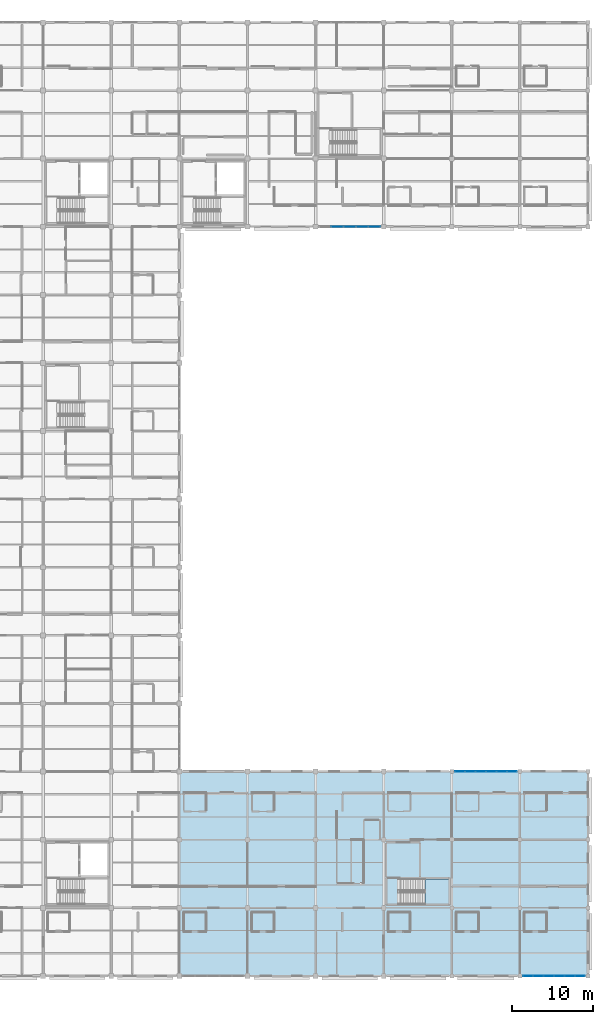
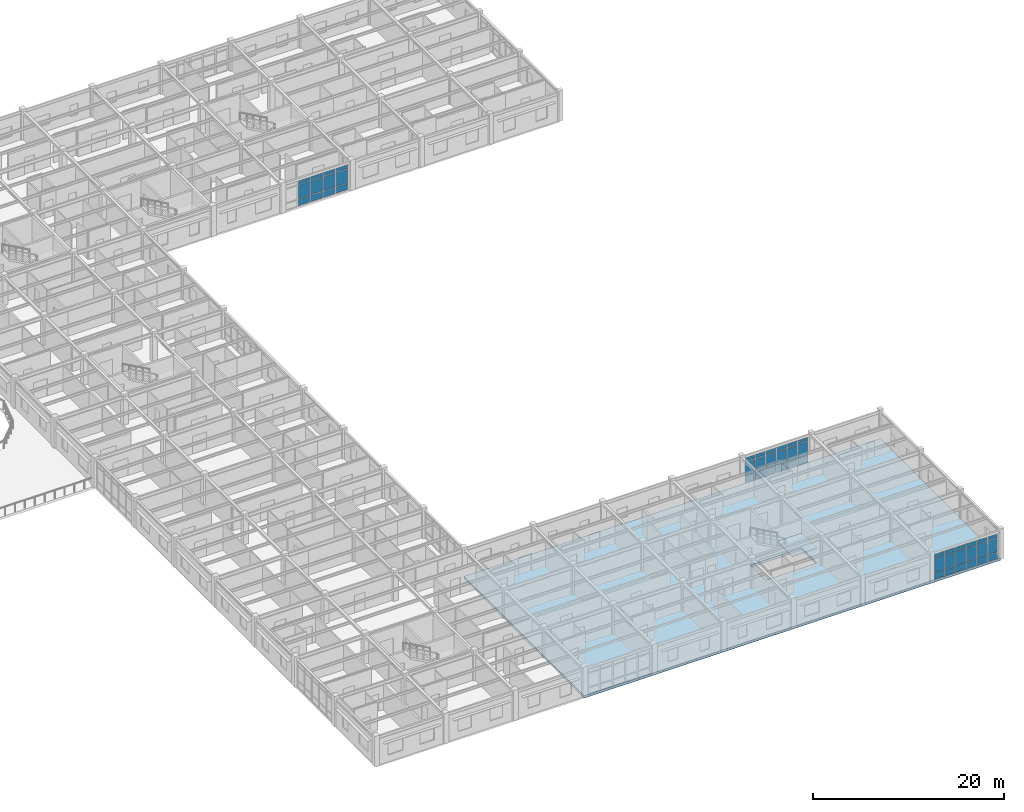
# One storey, part 48 of 86: 48 plates, 2 slabs, 4 elements without a shape of their own.
"""IFC4 building model written with IfcOpenShell, lengths in metres."""

from ifc_helpers import new_model, si_unit, direction, frame, origin, origin_2d, place, context, subcontext, project, spatial, polyline, rectangle, outline, extrude, material, layer, layer_set, type_object, element, aggregate, save


model = new_model("IFC4")

# Units and contexts
model_context = context("Model", 3, precision=1e-05, world=origin(), true_north=direction((0.0, 1.0)))
body_context = subcontext(model_context, "Body", "Model", "MODEL_VIEW")
ifc_project = project(units=[si_unit("LENGTHUNIT", "METRE"), si_unit("AREAUNIT", "SQUARE_METRE"), si_unit("VOLUMEUNIT", "CUBIC_METRE"), si_unit("PLANEANGLEUNIT", "RADIAN"), si_unit("MASSUNIT", "GRAM", prefix="KILO")], contexts=[model_context])

# Site, building, storey
site_placement = place(None, origin())
site = spatial("IfcSite", under=ifc_project, at=site_placement, CompositionType="ELEMENT")
building_placement = place(site_placement, origin())
building = spatial("IfcBuilding", under=site, at=building_placement, Name="Bramfleet General Hospital", CompositionType="ELEMENT")
storey_placement = place(building_placement, frame((0.0, 0.0, 18.60009765625)))
storey = spatial("IfcBuildingStorey", under=building, at=storey_placement, Name="L04", CompositionType="ELEMENT", Elevation=18.60009765625)

# Curtain wall, plates
ifc_material_1 = material(Name="Anodised aluminium and low-E triple glazing", Category="aluminium")
ifc_layer_1 = layer(ifc_material_1, 0.179931640625, Name="CWT-CW-14")
ifc_layer_set_1 = layer_set([ifc_layer_1], Name="Anodised aluminium and low-E triple glazing")
curtain_wall_type_1 = type_object("IfcCurtainWallType", Name="CWT-CW-14", PredefinedType="USERDEFINED", material=ifc_layer_set_1)
curtain_wall_1_placement = place(storey_placement, origin())
curtain_wall_1 = element("IfcCurtainWall", 1, at=curtain_wall_1_placement, inside=storey, type_object=curtain_wall_type_1, Name="L04 Curtain Wall 194", ObjectType="Stick curtain wall", PredefinedType="USERDEFINED")
ifc_material_2 = material(Name="Low-E laminated safety glass", Category="glass")
ifc_layer_2 = layer(ifc_material_2, 0.031982421875, Name="CWP-GLZ-2")
ifc_layer_set_2 = layer_set([ifc_layer_2], Name="Low-E laminated safety glass")
plate_type_1 = type_object("IfcPlateType", Name="CWP-GLZ-2", PredefinedType="CURTAIN_PANEL", material=ifc_layer_set_2)
plate_1_placement = place(storey_placement, frame((152.188232421875, 25.199951171875, 0.06494140625), z_axis=(0.0, 0.0, 1.0), x_axis=(1.0, 0.0, 0.0)))
plate_1 = element("IfcPlate", 2, at=plate_1_placement, type_object=plate_type_1, Name="CW-14 panel 1.1", PredefinedType="CURTAIN_PANEL", context=body_context, shape_type="SweptSolid", body=[
    extrude(rectangle(XDim=1.186767578125, YDim=0.031982421875, at=origin_2d()), origin(), (0.0, 0.0, 1.0), 0.802490234375),
])
plate_2_placement = place(storey_placement, frame((152.188232421875, 25.199951171875, 0.9326171875), z_axis=(0.0, 0.0, 1.0), x_axis=(1.0, 0.0, 0.0)))
plate_2 = element("IfcPlate", 3, at=plate_2_placement, type_object=plate_type_1, Name="CW-14 panel 1.2", PredefinedType="CURTAIN_PANEL", context=body_context, shape_type="SweptSolid", body=[
    extrude(rectangle(XDim=1.186767578125, YDim=0.031982421875, at=origin_2d()), origin(), (0.0, 0.0, 1.0), 1.784912109375),
])
plate_3_placement = place(storey_placement, frame((152.188232421875, 25.199951171875, 2.7822265625), z_axis=(0.0, 0.0, 1.0), x_axis=(1.0, 0.0, 0.0)))
plate_3 = element("IfcPlate", 4, at=plate_3_placement, type_object=plate_type_1, Name="CW-14 panel 1.3", PredefinedType="CURTAIN_PANEL", context=body_context, shape_type="SweptSolid", body=[
    extrude(rectangle(XDim=1.186767578125, YDim=0.031982421875, at=origin_2d()), origin(), (0.0, 0.0, 1.0), 0.452392578125),
])
plate_4_placement = place(storey_placement, frame((153.46240234375, 25.199951171875, 0.06494140625), z_axis=(0.0, 0.0, 1.0), x_axis=(1.0, 0.0, 0.0)))
plate_4 = element("IfcPlate", 5, at=plate_4_placement, type_object=plate_type_1, Name="CW-14 panel 2.1", PredefinedType="CURTAIN_PANEL", context=body_context, shape_type="SweptSolid", body=[
    extrude(rectangle(XDim=1.2216796875, YDim=0.031982421875, at=origin_2d()), origin(), (0.0, 0.0, 1.0), 0.802490234375),
])
plate_5_placement = place(storey_placement, frame((153.46240234375, 25.199951171875, 0.9326171875), z_axis=(0.0, 0.0, 1.0), x_axis=(1.0, 0.0, 0.0)))
plate_5 = element("IfcPlate", 6, at=plate_5_placement, type_object=plate_type_1, Name="CW-14 panel 2.2", PredefinedType="CURTAIN_PANEL", context=body_context, shape_type="SweptSolid", body=[
    extrude(rectangle(XDim=1.2216796875, YDim=0.031982421875, at=origin_2d()), origin(), (0.0, 0.0, 1.0), 1.784912109375),
])
plate_6_placement = place(storey_placement, frame((153.46240234375, 25.199951171875, 2.7822265625), z_axis=(0.0, 0.0, 1.0), x_axis=(1.0, 0.0, 0.0)))
plate_6 = element("IfcPlate", 7, at=plate_6_placement, type_object=plate_type_1, Name="CW-14 panel 2.3", PredefinedType="CURTAIN_PANEL", context=body_context, shape_type="SweptSolid", body=[
    extrude(rectangle(XDim=1.2216796875, YDim=0.031982421875, at=origin_2d()), origin(), (0.0, 0.0, 1.0), 0.452392578125),
])
plate_7_placement = place(storey_placement, frame((154.754150390625, 25.199951171875, 0.06494140625), z_axis=(0.0, 0.0, 1.0), x_axis=(1.0, 0.0, 0.0)))
plate_7 = element("IfcPlate", 8, at=plate_7_placement, type_object=plate_type_1, Name="CW-14 panel 3.1", PredefinedType="CURTAIN_PANEL", context=body_context, shape_type="SweptSolid", body=[
    extrude(rectangle(XDim=1.2216796875, YDim=0.031982421875, at=origin_2d()), origin(), (0.0, 0.0, 1.0), 0.802490234375),
])
plate_8_placement = place(storey_placement, frame((154.754150390625, 25.199951171875, 0.9326171875), z_axis=(0.0, 0.0, 1.0), x_axis=(1.0, 0.0, 0.0)))
plate_8 = element("IfcPlate", 9, at=plate_8_placement, type_object=plate_type_1, Name="CW-14 panel 3.2", PredefinedType="CURTAIN_PANEL", context=body_context, shape_type="SweptSolid", body=[
    extrude(rectangle(XDim=1.2216796875, YDim=0.031982421875, at=origin_2d()), origin(), (0.0, 0.0, 1.0), 1.784912109375),
])
plate_9_placement = place(storey_placement, frame((154.754150390625, 25.199951171875, 2.7822265625), z_axis=(0.0, 0.0, 1.0), x_axis=(1.0, 0.0, 0.0)))
plate_9 = element("IfcPlate", 10, at=plate_9_placement, type_object=plate_type_1, Name="CW-14 panel 3.3", PredefinedType="CURTAIN_PANEL", context=body_context, shape_type="SweptSolid", body=[
    extrude(rectangle(XDim=1.2216796875, YDim=0.031982421875, at=origin_2d()), origin(), (0.0, 0.0, 1.0), 0.452392578125),
])
plate_10_placement = place(storey_placement, frame((156.0458984375, 25.199951171875, 0.06494140625), z_axis=(0.0, 0.0, 1.0), x_axis=(1.0, 0.0, 0.0)))
plate_10 = element("IfcPlate", 11, at=plate_10_placement, type_object=plate_type_1, Name="CW-14 panel 4.1", PredefinedType="CURTAIN_PANEL", context=body_context, shape_type="SweptSolid", body=[
    extrude(rectangle(XDim=1.2216796875, YDim=0.031982421875, at=origin_2d()), origin(), (0.0, 0.0, 1.0), 0.802490234375),
])
plate_11_placement = place(storey_placement, frame((156.0458984375, 25.199951171875, 0.9326171875), z_axis=(0.0, 0.0, 1.0), x_axis=(1.0, 0.0, 0.0)))
plate_11 = element("IfcPlate", 12, at=plate_11_placement, type_object=plate_type_1, Name="CW-14 panel 4.2", PredefinedType="CURTAIN_PANEL", context=body_context, shape_type="SweptSolid", body=[
    extrude(rectangle(XDim=1.2216796875, YDim=0.031982421875, at=origin_2d()), origin(), (0.0, 0.0, 1.0), 1.784912109375),
])
plate_12_placement = place(storey_placement, frame((156.0458984375, 25.199951171875, 2.7822265625), z_axis=(0.0, 0.0, 1.0), x_axis=(1.0, 0.0, 0.0)))
plate_12 = element("IfcPlate", 13, at=plate_12_placement, type_object=plate_type_1, Name="CW-14 panel 4.3", PredefinedType="CURTAIN_PANEL", context=body_context, shape_type="SweptSolid", body=[
    extrude(rectangle(XDim=1.2216796875, YDim=0.031982421875, at=origin_2d()), origin(), (0.0, 0.0, 1.0), 0.452392578125),
])
plate_13_placement = place(storey_placement, frame((157.33740234375, 25.199951171875, 0.06494140625), z_axis=(0.0, 0.0, 1.0), x_axis=(1.0, 0.0, 0.0)))
plate_13 = element("IfcPlate", 14, at=plate_13_placement, type_object=plate_type_1, Name="CW-14 panel 5.1", PredefinedType="CURTAIN_PANEL", context=body_context, shape_type="SweptSolid", body=[
    extrude(rectangle(XDim=1.2216796875, YDim=0.031982421875, at=origin_2d()), origin(), (0.0, 0.0, 1.0), 0.802490234375),
])
plate_14_placement = place(storey_placement, frame((157.33740234375, 25.199951171875, 0.9326171875), z_axis=(0.0, 0.0, 1.0), x_axis=(1.0, 0.0, 0.0)))
plate_14 = element("IfcPlate", 15, at=plate_14_placement, type_object=plate_type_1, Name="CW-14 panel 5.2", PredefinedType="CURTAIN_PANEL", context=body_context, shape_type="SweptSolid", body=[
    extrude(rectangle(XDim=1.2216796875, YDim=0.031982421875, at=origin_2d()), origin(), (0.0, 0.0, 1.0), 1.784912109375),
])
plate_15_placement = place(storey_placement, frame((157.33740234375, 25.199951171875, 2.7822265625), z_axis=(0.0, 0.0, 1.0), x_axis=(1.0, 0.0, 0.0)))
plate_15 = element("IfcPlate", 16, at=plate_15_placement, type_object=plate_type_1, Name="CW-14 panel 5.3", PredefinedType="CURTAIN_PANEL", context=body_context, shape_type="SweptSolid", body=[
    extrude(rectangle(XDim=1.2216796875, YDim=0.031982421875, at=origin_2d()), origin(), (0.0, 0.0, 1.0), 0.452392578125),
])
plate_16_placement = place(storey_placement, frame((158.611572265625, 25.199951171875, 0.06494140625), z_axis=(0.0, 0.0, 1.0), x_axis=(1.0, 0.0, 0.0)))
plate_16 = element("IfcPlate", 17, at=plate_16_placement, type_object=plate_type_1, Name="CW-14 panel 6.1", PredefinedType="CURTAIN_PANEL", context=body_context, shape_type="SweptSolid", body=[
    extrude(rectangle(XDim=1.186767578125, YDim=0.031982421875, at=origin_2d()), origin(), (0.0, 0.0, 1.0), 0.802490234375),
])
plate_17_placement = place(storey_placement, frame((158.611572265625, 25.199951171875, 0.9326171875), z_axis=(0.0, 0.0, 1.0), x_axis=(1.0, 0.0, 0.0)))
plate_17 = element("IfcPlate", 18, at=plate_17_placement, type_object=plate_type_1, Name="CW-14 panel 6.2", PredefinedType="CURTAIN_PANEL", context=body_context, shape_type="SweptSolid", body=[
    extrude(rectangle(XDim=1.186767578125, YDim=0.031982421875, at=origin_2d()), origin(), (0.0, 0.0, 1.0), 1.784912109375),
])
plate_18_placement = place(storey_placement, frame((158.611572265625, 25.199951171875, 2.7822265625), z_axis=(0.0, 0.0, 1.0), x_axis=(1.0, 0.0, 0.0)))
plate_18 = element("IfcPlate", 19, at=plate_18_placement, type_object=plate_type_1, Name="CW-14 panel 6.3", PredefinedType="CURTAIN_PANEL", context=body_context, shape_type="SweptSolid", body=[
    extrude(rectangle(XDim=1.186767578125, YDim=0.031982421875, at=origin_2d()), origin(), (0.0, 0.0, 1.0), 0.452392578125),
])
aggregate(curtain_wall_1, [plate_1, plate_2, plate_3, plate_4, plate_5, plate_6, plate_7, plate_8, plate_9, plate_10, plate_11, plate_12, plate_13, plate_14, plate_15, plate_16, plate_17, plate_18])

ifc_layer_3 = layer(ifc_material_1, 0.179931640625, Name="CWT-CW-11")
ifc_layer_set_3 = layer_set([ifc_layer_3], Name="Anodised aluminium and low-E triple glazing")
curtain_wall_type_2 = type_object("IfcCurtainWallType", Name="CWT-CW-11", PredefinedType="USERDEFINED", material=ifc_layer_set_3)
curtain_wall_2_placement = place(storey_placement, origin())
curtain_wall_2 = element("IfcCurtainWall", 20, at=curtain_wall_2_placement, inside=storey, type_object=curtain_wall_type_2, Name="L04 Curtain Wall 191", ObjectType="Stick curtain wall", PredefinedType="USERDEFINED")
ifc_layer_4 = layer(ifc_material_2, 0.035888671875, Name="CWP-GLZ-3")
ifc_layer_set_4 = layer_set([ifc_layer_4], Name="Low-E laminated safety glass")
plate_type_2 = type_object("IfcPlateType", Name="CWP-GLZ-3", PredefinedType="CURTAIN_PANEL", material=ifc_layer_set_4)
plate_19_placement = place(storey_placement, frame((141.642578125, 92.39990234375, 0.06494140625), z_axis=(0.0, 0.0, 1.0), x_axis=(-1.0, 0.0, 0.0)))
plate_19 = element("IfcPlate", 21, at=plate_19_placement, type_object=plate_type_2, Name="CW-11 panel 1.1", PredefinedType="CURTAIN_PANEL", context=body_context, shape_type="SweptSolid", body=[
    extrude(rectangle(XDim=1.425048828125, YDim=0.035888671875, at=origin_2d()), origin(), (0.0, 0.0, 1.0), 0.802490234375),
])
plate_20_placement = place(storey_placement, frame((141.642578125, 92.39990234375, 0.932373046875), z_axis=(0.0, 0.0, 1.0), x_axis=(-1.0, 0.0, 0.0)))
plate_20 = element("IfcPlate", 22, at=plate_20_placement, type_object=plate_type_2, Name="CW-11 panel 1.2", PredefinedType="CURTAIN_PANEL", context=body_context, shape_type="SweptSolid", body=[
    extrude(rectangle(XDim=1.425048828125, YDim=0.035888671875, at=origin_2d()), origin(), (0.0, 0.0, 1.0), 1.794921875),
])
plate_21_placement = place(storey_placement, frame((141.642578125, 92.39990234375, 2.79248046875), z_axis=(0.0, 0.0, 1.0), x_axis=(-1.0, 0.0, 0.0)))
plate_21 = element("IfcPlate", 23, at=plate_21_placement, type_object=plate_type_2, Name="CW-11 panel 1.3", PredefinedType="CURTAIN_PANEL", context=body_context, shape_type="SweptSolid", body=[
    extrude(rectangle(XDim=1.425048828125, YDim=0.035888671875, at=origin_2d()), origin(), (0.0, 0.0, 1.0), 0.452392578125),
])
plate_22_placement = place(storey_placement, frame((140.1298828125, 92.39990234375, 0.06494140625), z_axis=(0.0, 0.0, 1.0), x_axis=(-1.0, 0.0, 0.0)))
plate_22 = element("IfcPlate", 24, at=plate_22_placement, type_object=plate_type_2, Name="CW-11 panel 2.1", PredefinedType="CURTAIN_PANEL", context=body_context, shape_type="SweptSolid", body=[
    extrude(rectangle(XDim=1.4599609375, YDim=0.035888671875, at=origin_2d()), origin(), (0.0, 0.0, 1.0), 0.802490234375),
])
plate_23_placement = place(storey_placement, frame((140.1298828125, 92.39990234375, 0.932373046875), z_axis=(0.0, 0.0, 1.0), x_axis=(-1.0, 0.0, 0.0)))
plate_23 = element("IfcPlate", 25, at=plate_23_placement, type_object=plate_type_2, Name="CW-11 panel 2.2", PredefinedType="CURTAIN_PANEL", context=body_context, shape_type="SweptSolid", body=[
    extrude(rectangle(XDim=1.4599609375, YDim=0.035888671875, at=origin_2d()), origin(), (0.0, 0.0, 1.0), 1.794921875),
])
plate_24_placement = place(storey_placement, frame((140.1298828125, 92.39990234375, 2.79248046875), z_axis=(0.0, 0.0, 1.0), x_axis=(-1.0, 0.0, 0.0)))
plate_24 = element("IfcPlate", 26, at=plate_24_placement, type_object=plate_type_2, Name="CW-11 panel 2.3", PredefinedType="CURTAIN_PANEL", context=body_context, shape_type="SweptSolid", body=[
    extrude(rectangle(XDim=1.4599609375, YDim=0.035888671875, at=origin_2d()), origin(), (0.0, 0.0, 1.0), 0.452392578125),
])
plate_25_placement = place(storey_placement, frame((138.60009765625, 92.39990234375, 0.06494140625), z_axis=(0.0, 0.0, 1.0), x_axis=(-1.0, 0.0, 0.0)))
plate_25 = element("IfcPlate", 27, at=plate_25_placement, type_object=plate_type_2, Name="CW-11 panel 3.1", PredefinedType="CURTAIN_PANEL", context=body_context, shape_type="SweptSolid", body=[
    extrude(rectangle(XDim=1.4599609375, YDim=0.035888671875, at=origin_2d()), origin(), (0.0, 0.0, 1.0), 0.802490234375),
])
plate_26_placement = place(storey_placement, frame((138.60009765625, 92.39990234375, 0.932373046875), z_axis=(0.0, 0.0, 1.0), x_axis=(-1.0, 0.0, 0.0)))
plate_26 = element("IfcPlate", 28, at=plate_26_placement, type_object=plate_type_2, Name="CW-11 panel 3.2", PredefinedType="CURTAIN_PANEL", context=body_context, shape_type="SweptSolid", body=[
    extrude(rectangle(XDim=1.4599609375, YDim=0.035888671875, at=origin_2d()), origin(), (0.0, 0.0, 1.0), 1.794921875),
])
plate_27_placement = place(storey_placement, frame((138.60009765625, 92.39990234375, 2.79248046875), z_axis=(0.0, 0.0, 1.0), x_axis=(-1.0, 0.0, 0.0)))
plate_27 = element("IfcPlate", 29, at=plate_27_placement, type_object=plate_type_2, Name="CW-11 panel 3.3", PredefinedType="CURTAIN_PANEL", context=body_context, shape_type="SweptSolid", body=[
    extrude(rectangle(XDim=1.4599609375, YDim=0.035888671875, at=origin_2d()), origin(), (0.0, 0.0, 1.0), 0.452392578125),
])
plate_28_placement = place(storey_placement, frame((137.070068359375, 92.39990234375, 0.06494140625), z_axis=(0.0, 0.0, 1.0), x_axis=(-1.0, 0.0, 0.0)))
plate_28 = element("IfcPlate", 30, at=plate_28_placement, type_object=plate_type_2, Name="CW-11 panel 4.1", PredefinedType="CURTAIN_PANEL", context=body_context, shape_type="SweptSolid", body=[
    extrude(rectangle(XDim=1.4599609375, YDim=0.035888671875, at=origin_2d()), origin(), (0.0, 0.0, 1.0), 0.802490234375),
])
plate_29_placement = place(storey_placement, frame((137.070068359375, 92.39990234375, 0.932373046875), z_axis=(0.0, 0.0, 1.0), x_axis=(-1.0, 0.0, 0.0)))
plate_29 = element("IfcPlate", 31, at=plate_29_placement, type_object=plate_type_2, Name="CW-11 panel 4.2", PredefinedType="CURTAIN_PANEL", context=body_context, shape_type="SweptSolid", body=[
    extrude(rectangle(XDim=1.4599609375, YDim=0.035888671875, at=origin_2d()), origin(), (0.0, 0.0, 1.0), 1.794921875),
])
plate_30_placement = place(storey_placement, frame((137.070068359375, 92.39990234375, 2.79248046875), z_axis=(0.0, 0.0, 1.0), x_axis=(-1.0, 0.0, 0.0)))
plate_30 = element("IfcPlate", 32, at=plate_30_placement, type_object=plate_type_2, Name="CW-11 panel 4.3", PredefinedType="CURTAIN_PANEL", context=body_context, shape_type="SweptSolid", body=[
    extrude(rectangle(XDim=1.4599609375, YDim=0.035888671875, at=origin_2d()), origin(), (0.0, 0.0, 1.0), 0.452392578125),
])
aggregate(curtain_wall_2, [plate_19, plate_20, plate_21, plate_22, plate_23, plate_24, plate_25, plate_26, plate_27, plate_28, plate_29, plate_30])

ifc_layer_5 = layer(ifc_material_1, 0.179931640625, Name="CWT-CW-15")
ifc_layer_set_5 = layer_set([ifc_layer_5], Name="Anodised aluminium and low-E triple glazing")
curtain_wall_type_3 = type_object("IfcCurtainWallType", Name="CWT-CW-15", PredefinedType="USERDEFINED", material=ifc_layer_set_5)
curtain_wall_3_placement = place(storey_placement, origin())
curtain_wall_3 = element("IfcCurtainWall", 33, at=curtain_wall_3_placement, inside=storey, type_object=curtain_wall_type_3, Name="L04 Curtain Wall 195", ObjectType="Stick curtain wall", PredefinedType="USERDEFINED")
plate_31_placement = place(storey_placement, frame((167.01171875, 0.0, 0.06494140625), z_axis=(0.0, 0.0, 1.0), x_axis=(-1.0, 0.0, 0.0)))
plate_31 = element("IfcPlate", 34, at=plate_31_placement, type_object=plate_type_2, Name="CW-15 panel 1.1", PredefinedType="CURTAIN_PANEL", context=body_context, shape_type="SweptSolid", body=[
    extrude(rectangle(XDim=1.186767578125, YDim=0.035888671875, at=origin_2d()), origin(), (0.0, 0.0, 1.0), 0.802490234375),
])
plate_32_placement = place(storey_placement, frame((167.01171875, 0.0, 0.9326171875), z_axis=(0.0, 0.0, 1.0), x_axis=(-1.0, 0.0, 0.0)))
plate_32 = element("IfcPlate", 35, at=plate_32_placement, type_object=plate_type_2, Name="CW-15 panel 1.2", PredefinedType="CURTAIN_PANEL", context=body_context, shape_type="SweptSolid", body=[
    extrude(rectangle(XDim=1.186767578125, YDim=0.035888671875, at=origin_2d()), origin(), (0.0, 0.0, 1.0), 1.784912109375),
])
plate_33_placement = place(storey_placement, frame((167.01171875, 0.0, 2.7822265625), z_axis=(0.0, 0.0, 1.0), x_axis=(-1.0, 0.0, 0.0)))
plate_33 = element("IfcPlate", 36, at=plate_33_placement, type_object=plate_type_2, Name="CW-15 panel 1.3", PredefinedType="CURTAIN_PANEL", context=body_context, shape_type="SweptSolid", body=[
    extrude(rectangle(XDim=1.186767578125, YDim=0.035888671875, at=origin_2d()), origin(), (0.0, 0.0, 1.0), 0.452392578125),
])
plate_34_placement = place(storey_placement, frame((165.737548828125, 0.0, 0.06494140625), z_axis=(0.0, 0.0, 1.0), x_axis=(-1.0, 0.0, 0.0)))
plate_34 = element("IfcPlate", 37, at=plate_34_placement, type_object=plate_type_2, Name="CW-15 panel 2.1", PredefinedType="CURTAIN_PANEL", context=body_context, shape_type="SweptSolid", body=[
    extrude(rectangle(XDim=1.2216796875, YDim=0.035888671875, at=origin_2d()), origin(), (0.0, 0.0, 1.0), 0.802490234375),
])
plate_35_placement = place(storey_placement, frame((165.737548828125, 0.0, 0.9326171875), z_axis=(0.0, 0.0, 1.0), x_axis=(-1.0, 0.0, 0.0)))
plate_35 = element("IfcPlate", 38, at=plate_35_placement, type_object=plate_type_2, Name="CW-15 panel 2.2", PredefinedType="CURTAIN_PANEL", context=body_context, shape_type="SweptSolid", body=[
    extrude(rectangle(XDim=1.2216796875, YDim=0.035888671875, at=origin_2d()), origin(), (0.0, 0.0, 1.0), 1.784912109375),
])
plate_36_placement = place(storey_placement, frame((165.737548828125, 0.0, 2.7822265625), z_axis=(0.0, 0.0, 1.0), x_axis=(-1.0, 0.0, 0.0)))
plate_36 = element("IfcPlate", 39, at=plate_36_placement, type_object=plate_type_2, Name="CW-15 panel 2.3", PredefinedType="CURTAIN_PANEL", context=body_context, shape_type="SweptSolid", body=[
    extrude(rectangle(XDim=1.2216796875, YDim=0.035888671875, at=origin_2d()), origin(), (0.0, 0.0, 1.0), 0.452392578125),
])
plate_37_placement = place(storey_placement, frame((164.44580078125, 0.0, 0.06494140625), z_axis=(0.0, 0.0, 1.0), x_axis=(-1.0, 0.0, 0.0)))
plate_37 = element("IfcPlate", 40, at=plate_37_placement, type_object=plate_type_2, Name="CW-15 panel 3.1", PredefinedType="CURTAIN_PANEL", context=body_context, shape_type="SweptSolid", body=[
    extrude(rectangle(XDim=1.2216796875, YDim=0.035888671875, at=origin_2d()), origin(), (0.0, 0.0, 1.0), 0.802490234375),
])
plate_38_placement = place(storey_placement, frame((164.44580078125, 0.0, 0.9326171875), z_axis=(0.0, 0.0, 1.0), x_axis=(-1.0, 0.0, 0.0)))
plate_38 = element("IfcPlate", 41, at=plate_38_placement, type_object=plate_type_2, Name="CW-15 panel 3.2", PredefinedType="CURTAIN_PANEL", context=body_context, shape_type="SweptSolid", body=[
    extrude(rectangle(XDim=1.2216796875, YDim=0.035888671875, at=origin_2d()), origin(), (0.0, 0.0, 1.0), 1.784912109375),
])
plate_39_placement = place(storey_placement, frame((164.44580078125, 0.0, 2.7822265625), z_axis=(0.0, 0.0, 1.0), x_axis=(-1.0, 0.0, 0.0)))
plate_39 = element("IfcPlate", 42, at=plate_39_placement, type_object=plate_type_2, Name="CW-15 panel 3.3", PredefinedType="CURTAIN_PANEL", context=body_context, shape_type="SweptSolid", body=[
    extrude(rectangle(XDim=1.2216796875, YDim=0.035888671875, at=origin_2d()), origin(), (0.0, 0.0, 1.0), 0.452392578125),
])
plate_40_placement = place(storey_placement, frame((163.154052734375, 0.0, 0.06494140625), z_axis=(0.0, 0.0, 1.0), x_axis=(-1.0, 0.0, 0.0)))
plate_40 = element("IfcPlate", 43, at=plate_40_placement, type_object=plate_type_2, Name="CW-15 panel 4.1", PredefinedType="CURTAIN_PANEL", context=body_context, shape_type="SweptSolid", body=[
    extrude(rectangle(XDim=1.2216796875, YDim=0.035888671875, at=origin_2d()), origin(), (0.0, 0.0, 1.0), 0.802490234375),
])
plate_41_placement = place(storey_placement, frame((163.154052734375, 0.0, 0.9326171875), z_axis=(0.0, 0.0, 1.0), x_axis=(-1.0, 0.0, 0.0)))
plate_41 = element("IfcPlate", 44, at=plate_41_placement, type_object=plate_type_2, Name="CW-15 panel 4.2", PredefinedType="CURTAIN_PANEL", context=body_context, shape_type="SweptSolid", body=[
    extrude(rectangle(XDim=1.2216796875, YDim=0.035888671875, at=origin_2d()), origin(), (0.0, 0.0, 1.0), 1.784912109375),
])
plate_42_placement = place(storey_placement, frame((163.154052734375, 0.0, 2.7822265625), z_axis=(0.0, 0.0, 1.0), x_axis=(-1.0, 0.0, 0.0)))
plate_42 = element("IfcPlate", 45, at=plate_42_placement, type_object=plate_type_2, Name="CW-15 panel 4.3", PredefinedType="CURTAIN_PANEL", context=body_context, shape_type="SweptSolid", body=[
    extrude(rectangle(XDim=1.2216796875, YDim=0.035888671875, at=origin_2d()), origin(), (0.0, 0.0, 1.0), 0.452392578125),
])
plate_43_placement = place(storey_placement, frame((161.862548828125, 0.0, 0.06494140625), z_axis=(0.0, 0.0, 1.0), x_axis=(-1.0, 0.0, 0.0)))
plate_43 = element("IfcPlate", 46, at=plate_43_placement, type_object=plate_type_2, Name="CW-15 panel 5.1", PredefinedType="CURTAIN_PANEL", context=body_context, shape_type="SweptSolid", body=[
    extrude(rectangle(XDim=1.2216796875, YDim=0.035888671875, at=origin_2d()), origin(), (0.0, 0.0, 1.0), 0.802490234375),
])
plate_44_placement = place(storey_placement, frame((161.862548828125, 0.0, 0.9326171875), z_axis=(0.0, 0.0, 1.0), x_axis=(-1.0, 0.0, 0.0)))
plate_44 = element("IfcPlate", 47, at=plate_44_placement, type_object=plate_type_2, Name="CW-15 panel 5.2", PredefinedType="CURTAIN_PANEL", context=body_context, shape_type="SweptSolid", body=[
    extrude(rectangle(XDim=1.2216796875, YDim=0.035888671875, at=origin_2d()), origin(), (0.0, 0.0, 1.0), 1.784912109375),
])
plate_45_placement = place(storey_placement, frame((161.862548828125, 0.0, 2.7822265625), z_axis=(0.0, 0.0, 1.0), x_axis=(-1.0, 0.0, 0.0)))
plate_45 = element("IfcPlate", 48, at=plate_45_placement, type_object=plate_type_2, Name="CW-15 panel 5.3", PredefinedType="CURTAIN_PANEL", context=body_context, shape_type="SweptSolid", body=[
    extrude(rectangle(XDim=1.2216796875, YDim=0.035888671875, at=origin_2d()), origin(), (0.0, 0.0, 1.0), 0.452392578125),
])
plate_46_placement = place(storey_placement, frame((160.58837890625, 0.0, 0.06494140625), z_axis=(0.0, 0.0, 1.0), x_axis=(-1.0, 0.0, 0.0)))
plate_46 = element("IfcPlate", 49, at=plate_46_placement, type_object=plate_type_2, Name="CW-15 panel 6.1", PredefinedType="CURTAIN_PANEL", context=body_context, shape_type="SweptSolid", body=[
    extrude(rectangle(XDim=1.186767578125, YDim=0.035888671875, at=origin_2d()), origin(), (0.0, 0.0, 1.0), 0.802490234375),
])
plate_47_placement = place(storey_placement, frame((160.58837890625, 0.0, 0.9326171875), z_axis=(0.0, 0.0, 1.0), x_axis=(-1.0, 0.0, 0.0)))
plate_47 = element("IfcPlate", 50, at=plate_47_placement, type_object=plate_type_2, Name="CW-15 panel 6.2", PredefinedType="CURTAIN_PANEL", context=body_context, shape_type="SweptSolid", body=[
    extrude(rectangle(XDim=1.186767578125, YDim=0.035888671875, at=origin_2d()), origin(), (0.0, 0.0, 1.0), 1.784912109375),
])
plate_48_placement = place(storey_placement, frame((160.58837890625, 0.0, 2.7822265625), z_axis=(0.0, 0.0, 1.0), x_axis=(-1.0, 0.0, 0.0)))
plate_48 = element("IfcPlate", 51, at=plate_48_placement, type_object=plate_type_2, Name="CW-15 panel 6.3", PredefinedType="CURTAIN_PANEL", context=body_context, shape_type="SweptSolid", body=[
    extrude(rectangle(XDim=1.186767578125, YDim=0.035888671875, at=origin_2d()), origin(), (0.0, 0.0, 1.0), 0.452392578125),
])
aggregate(curtain_wall_3, [plate_31, plate_32, plate_33, plate_34, plate_35, plate_36, plate_37, plate_38, plate_39, plate_40, plate_41, plate_42, plate_43, plate_44, plate_45, plate_46, plate_47, plate_48])

# Slab
ifc_material_3 = material(Name="Concrete C35/45", Category="concrete")
ifc_layer_6 = layer(ifc_material_3, 0.300048828125, Name="SL-FLR-300")
ifc_layer_set_6 = layer_set([ifc_layer_6], Name="Concrete C35/45")
slab_type_1 = type_object("IfcSlabType", Name="SL-FLR-300", PredefinedType="FLOOR", material=ifc_layer_set_6)
slab_1_placement = place(storey_placement, frame((0.0, 0.0, -0.300048828125)))
element("IfcSlab", 52, at=slab_1_placement, inside=storey, type_object=slab_type_1, Name="L04 Structural Floor Slab (EAST)", PredefinedType="FLOOR", context=body_context, shape_type="SweptSolid", body=[
    extrude(outline(polyline([(126.0, 25.199951171875), (134.39990234375, 25.199951171875), (142.800048828125, 25.199951171875), (151.199951171875, 25.199951171875), (159.60009765625, 25.199951171875), (168.0, 25.199951171875), (168.0, 16.800048828125), (168.0, 8.39990234375), (168.0, 0.0), (159.60009765625, 0.0), (151.199951171875, 0.0), (142.800048828125, 0.0), (134.39990234375, 0.0), (126.0, 0.0), (117.60009765625, 0.0), (117.60009765625, 25.199951171875), (126.0, 25.199951171875)]), holes=[polyline([(144.639892578125, 8.820068359375), (150.860107421875, 8.820068359375), (150.860107421875, 11.97998046875), (144.639892578125, 11.97998046875), (144.639892578125, 8.820068359375)])]), origin(), (0.0, 0.0, 1.0), 0.300048828125),
])

# Stair, slab
stair_type = type_object("IfcStairType", Name="STR-T4", PredefinedType="HALF_TURN_STAIR", material=ifc_material_3)
stair_placement = place(storey_placement, origin())
stair = element("IfcStair", 53, at=stair_placement, inside=storey, type_object=stair_type, Name="L04 Core C10 (South-East Clinic & Ward Escape) Protected Escape Stair", PredefinedType="HALF_TURN_STAIR")
ifc_layer_7 = layer(ifc_material_3, 0.199951171875, Name="SL-LND-200")
ifc_layer_set_7 = layer_set([ifc_layer_7], Name="Concrete C35/45")
slab_type_2 = type_object("IfcSlabType", Name="SL-LND-200", PredefinedType="LANDING", material=ifc_layer_set_7)
slab_2_placement = place(storey_placement, frame((0.0, 0.0, 1.75)))
slab_2 = element("IfcSlab", 54, at=slab_2_placement, type_object=slab_type_2, Name="ST-C10 landing 1", PredefinedType="LANDING", context=body_context, shape_type="SweptSolid", body=[
    extrude(outline(polyline([(147.885009765625, 8.820068359375), (150.860107421875, 8.820068359375), (150.860107421875, 11.97998046875), (147.885009765625, 11.97998046875), (147.885009765625, 8.820068359375)])), origin(), (0.0, 0.0, 1.0), 0.199951171875),
])
aggregate(stair, [slab_2])

save(model, "model.ifc")
